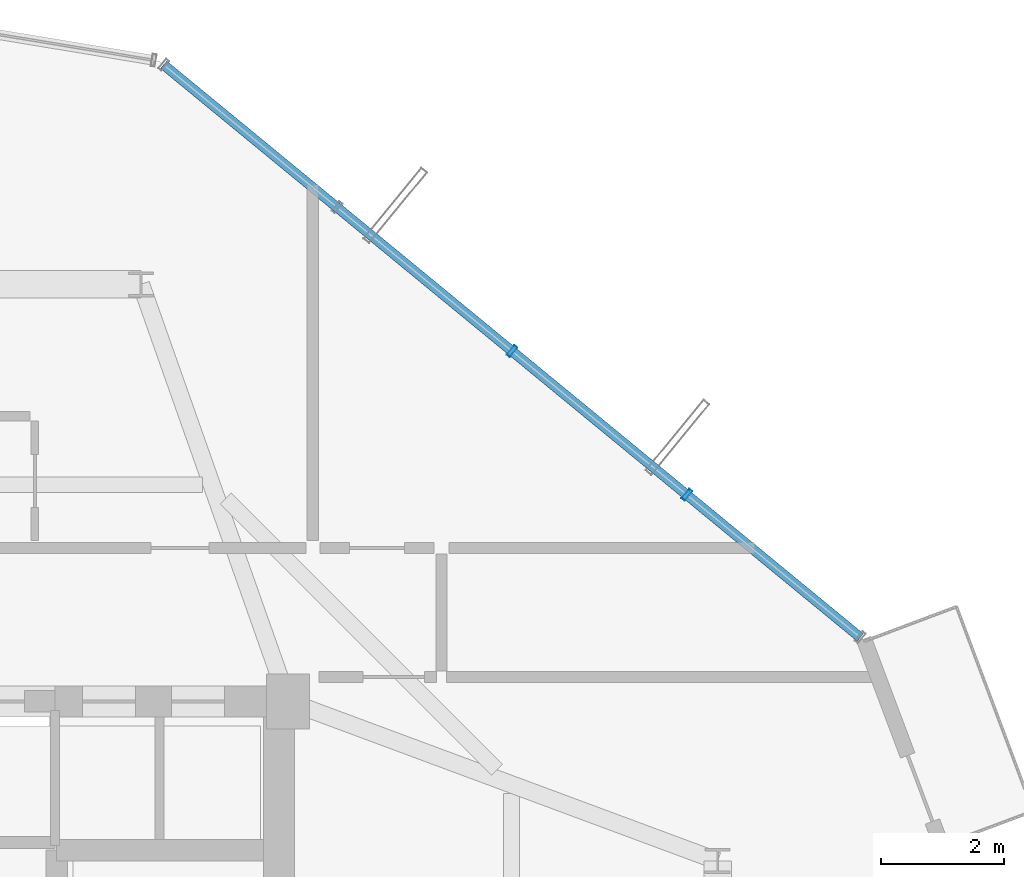
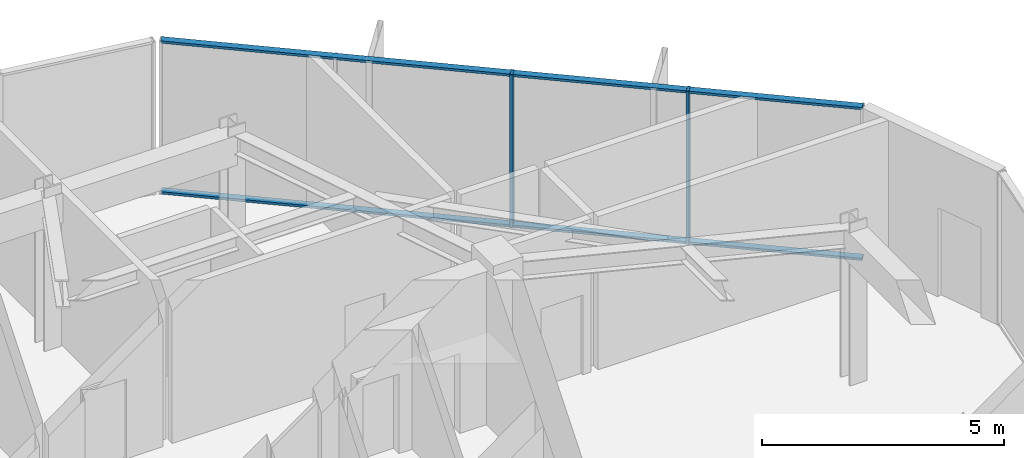
# One storey, part 12 of 22: 4 members, 1 element without a shape of its own.
"""IFC4 building model written with IfcOpenShell, lengths in metres."""

from ifc_helpers import new_model, si_unit, direction, frame, origin, origin_2d, place, context, subcontext, project, spatial, hollow_rectangle, extrude, source, transform, mapped, material, layer, layer_set, material_profile, profile_set, type_object, element, aggregate, save


model = new_model("IFC4")

# Units and contexts
model_context = context("Model", 3, precision=1e-05, world=origin(), true_north=direction((0.0, 1.0)))
body_context = subcontext(model_context, "Body", "Model", "MODEL_VIEW")
ifc_project = project(units=[si_unit("LENGTHUNIT", "METRE"), si_unit("AREAUNIT", "SQUARE_METRE"), si_unit("VOLUMEUNIT", "CUBIC_METRE"), si_unit("PLANEANGLEUNIT", "RADIAN"), si_unit("MASSUNIT", "GRAM", prefix="KILO")], contexts=[model_context])

# Site, building, storey
site_placement = place(None, origin())
site = spatial("IfcSite", under=ifc_project, at=site_placement, CompositionType="ELEMENT")
building_placement = place(site_placement, origin())
building = spatial("IfcBuilding", under=site, at=building_placement, Name="Veraguas Prism Commons", CompositionType="ELEMENT")
storey_placement = place(building_placement, frame((0.0, 0.0, 240.64990234375)))
storey = spatial("IfcBuildingStorey", under=building, at=storey_placement, Name="L68", CompositionType="ELEMENT", Elevation=240.64990234375)

# Curtain wall, members
ifc_material = material(Name="Anodised aluminium EN AW-6063 T6", Category="aluminium")
ifc_layer = layer(ifc_material, 0.199951171875, Name="Sky Lobby and Pool Acoustic Curtain Wall", Category="aluminium")
ifc_layer_set = layer_set([ifc_layer], Name="Anodised aluminium EN AW-6063 T6")
curtain_wall_type = type_object("IfcCurtainWallType", Name="Sky Lobby and Pool Acoustic Curtain Wall", PredefinedType="NOTDEFINED", material=ifc_layer_set)
curtain_wall_placement = place(storey_placement, origin())
curtain_wall = element("IfcCurtainWall", 1, at=curtain_wall_placement, inside=storey, type_object=curtain_wall_type, Name="Tower Facade Curtain Wall L68-F1", PredefinedType="NOTDEFINED")
ifc_material_profile_1 = material_profile(ifc_material, hollow_rectangle(XDim=0.06494140625, YDim=0.199951171875, WallThickness=0.00390625, at=origin_2d()), Name="AL65X200X4")
ifc_profile_set_1 = profile_set([ifc_material_profile_1], Name="Anodised aluminium EN AW-6063 T6")
member_type_1 = type_object("IfcMemberType", Name="Curtain Wall Mullion Heavy AL 65x200x4", PredefinedType="MULLION", material=ifc_profile_set_1)
shared_shape_1 = source(origin(), body_context, "Body", "SweptSolid", [
    extrude(hollow_rectangle(XDim=0.06494140625, YDim=0.199951171875, WallThickness=0.00390625, at=origin_2d()), origin(), (0.0, 0.0, 1.0), 3.864990234375),
])
member_1_placement = place(storey_placement, frame((37.30029296875, 34.3671875, 0.0), z_axis=(0.0, 0.0, 1.0), x_axis=(-0.772514180242, 0.634997512849, 0.0)))
member_1 = element("IfcMember", 2, at=member_1_placement, type_object=member_type_1, Name="CW-SKY Mullion 2", PredefinedType="MULLION", context=body_context, shape_type="MappedRepresentation", body=[
    mapped(shared_shape_1, transform((0.0, 0.0, 0.0), scale=1.0)),
])
member_2_placement = place(storey_placement, frame((34.448486328125, 36.711181640625, 0.0), z_axis=(0.0, 0.0, 1.0), x_axis=(-0.772514180242, 0.634997512849, 0.0)))
member_2 = element("IfcMember", 3, at=member_2_placement, type_object=member_type_1, Name="CW-SKY Mullion 3", PredefinedType="MULLION", context=body_context, shape_type="MappedRepresentation", body=[
    mapped(shared_shape_1, transform((0.0, 0.0, 0.0), scale=1.0)),
])
ifc_material_profile_2 = material_profile(ifc_material, hollow_rectangle(XDim=0.06005859375, YDim=0.159912109375, WallThickness=0.0029296875, at=origin_2d()), Name="AL60X160X3")
ifc_profile_set_2 = profile_set([ifc_material_profile_2], Name="Anodised aluminium EN AW-6063 T6")
member_type_2 = type_object("IfcMemberType", Name="Curtain Wall Transom Heavy AL 60x160x3", PredefinedType="USERDEFINED", material=ifc_profile_set_2)
shared_shape_2 = source(origin(), body_context, "Body", "SweptSolid", [
    extrude(hollow_rectangle(XDim=0.06005859375, YDim=0.159912109375, WallThickness=0.0029296875, at=origin_2d()), origin(), (0.0, 0.0, 1.0), 14.701416015625),
])
member_3_placement = place(storey_placement, frame((40.127197265625, 32.043701171875, 0.030029296875), z_axis=(-0.772522875603, 0.634986934251, 0.0), x_axis=(0.0, 0.0, 1.0)))
member_3 = element("IfcMember", 4, at=member_3_placement, type_object=member_type_2, Name="CW-SKY Transom 1", ObjectType="TRANSOM", PredefinedType="USERDEFINED", context=body_context, shape_type="MappedRepresentation", body=[
    mapped(shared_shape_2, transform((0.0, 0.0, 0.0), scale=1.0)),
])
member_4_placement = place(storey_placement, frame((40.127197265625, 32.043701171875, 3.835205078125), z_axis=(-0.772522875603, 0.634986934251, 0.0), x_axis=(0.0, 0.0, 1.0)))
member_4 = element("IfcMember", 5, at=member_4_placement, type_object=member_type_2, Name="CW-SKY Transom 2", ObjectType="TRANSOM", PredefinedType="USERDEFINED", context=body_context, shape_type="MappedRepresentation", body=[
    mapped(shared_shape_2, transform((0.0, 0.0, 0.0), scale=1.0)),
])
aggregate(curtain_wall, [member_1, member_2, member_3, member_4])

save(model, "model.ifc")
